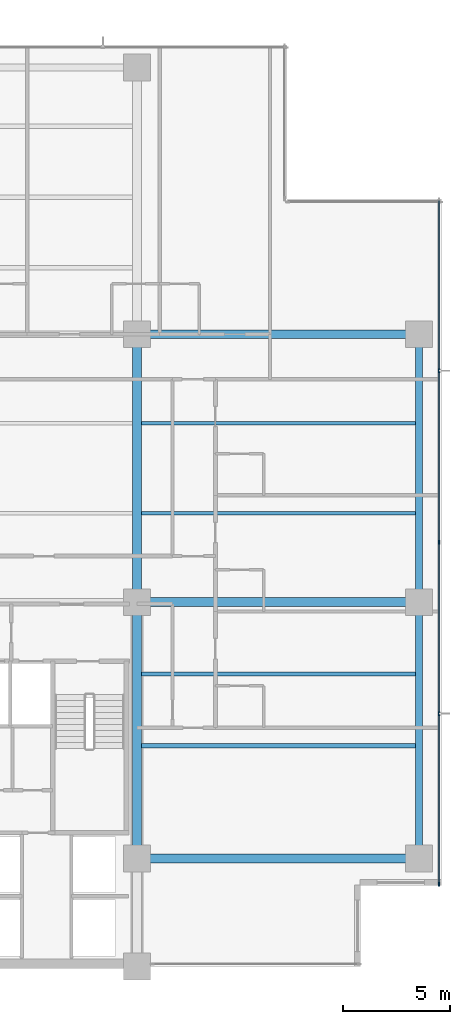
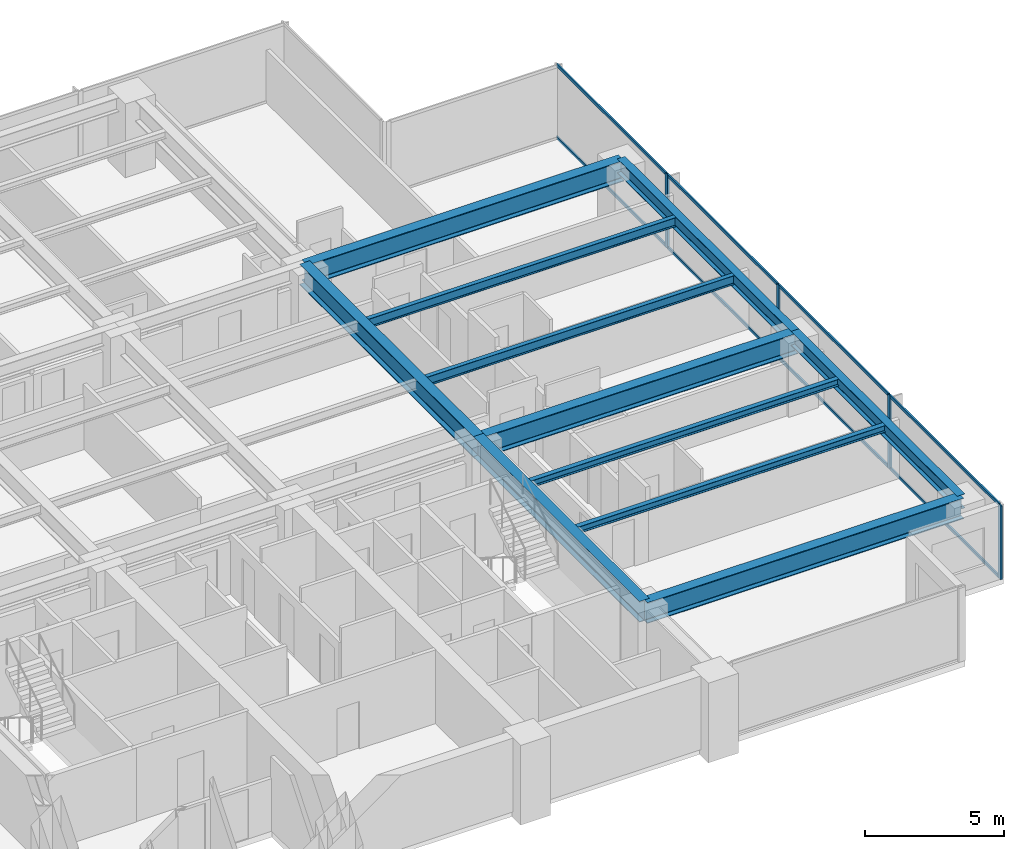
# One storey, part 4 of 17: 12 members, 11 beams, 1 element without a shape of its own.
"""IFC4 building model written with IfcOpenShell, lengths in metres."""

from ifc_helpers import new_model, si_unit, direction, frame, origin, origin_2d, place, context, subcontext, project, spatial, rectangle, i_section, extrude, material, layer, layer_set, material_profile, profile_set, type_object, element, aggregate, save


model = new_model("IFC4")

# Units and contexts
model_context = context("Model", 3, precision=1e-05, world=origin(), true_north=direction((0.0, 1.0)))
body_context = subcontext(model_context, "Body", "Model", "MODEL_VIEW")
ifc_project = project(units=[si_unit("LENGTHUNIT", "METRE"), si_unit("AREAUNIT", "SQUARE_METRE"), si_unit("VOLUMEUNIT", "CUBIC_METRE"), si_unit("PLANEANGLEUNIT", "RADIAN"), si_unit("MASSUNIT", "GRAM", prefix="KILO")], contexts=[model_context])

# Site, building, storey
site_placement = place(None, origin())
site = spatial("IfcSite", under=ifc_project, at=site_placement, CompositionType="ELEMENT")
building_placement = place(site_placement, origin())
building = spatial("IfcBuilding", under=site, at=building_placement, Name="Qalmaran Belvedere Hotel", CompositionType="ELEMENT")
storey_placement = place(building_placement, frame((0.0, 0.0, 105.699951171875)))
storey = spatial("IfcBuildingStorey", under=building, at=storey_placement, Name="L26", CompositionType="ELEMENT", Elevation=105.699951171875)

# Beams
ifc_material_1 = material(Name="Steel S355JR", Category="steel")
ifc_material_profile_1 = material_profile(ifc_material_1, i_section(OverallWidth=0.202880859375, OverallDepth=0.302978515625, WebThickness=0.007568359375, FlangeThickness=0.01318359375, FilletRadius=0.012939453125, at=origin_2d()), Name="W310X60")
ifc_profile_set_1 = profile_set([ifc_material_profile_1], Name="Steel S355JR")
beam_type_1 = type_object("IfcBeamType", Name="BM-JST-W310X60", PredefinedType="JOIST", material=ifc_profile_set_1)
for number, where, z_axis, x_axis, name in (
    (1, (45.007080078125, 13.800048828125, 3.088623046875), (1.0, 0.0, 0.0), (0.0, 1.0, 0.0), "L26 East Wing Joist 039"),
    (2, (45.007080078125, 17.14990234375, 3.088623046875), (1.0, 0.0, 0.0), (0.0, 1.0, 0.0), "L26 East Wing Joist 041"),
):
    element("IfcBeam", number, at=place(storey_placement, frame(where, z_axis=z_axis, x_axis=x_axis)), inside=storey, type_object=beam_type_1, Name=name, PredefinedType="JOIST", context=body_context, shape_type="SweptSolid", body=[
        extrude(i_section(OverallWidth=0.202880859375, OverallDepth=0.302978515625, WebThickness=0.007568359375, FlangeThickness=0.01318359375, FilletRadius=0.012939453125, at=origin_2d()), origin(), (0.0, 0.0, 1.0), 12.781494140625),
    ])
ifc_material_profile_2 = material_profile(ifc_material_1, i_section(OverallWidth=0.41796875, OverallDepth=0.912109375, WebThickness=0.019287109375, FlangeThickness=0.031982421875, FilletRadius=0.02392578125, at=origin_2d()), Name="W920X342")
ifc_profile_set_2 = profile_set([ifc_material_profile_2], Name="Steel S355JR")
beam_type_2 = type_object("IfcBeamType", Name="BM-PG2-W920X342", PredefinedType="USERDEFINED", material=ifc_profile_set_2)
beam_1_placement = place(storey_placement, frame((44.800048828125, 20.5, 2.783935546875), z_axis=(0.0, 1.0, 0.0), x_axis=(-1.0, 0.0, 0.0)))
element("IfcBeam", 3, at=beam_1_placement, inside=storey, type_object=beam_type_2, Name="L26 Mid-Plate N-S Girder 20", ObjectType="GIRDER", PredefinedType="USERDEFINED", context=body_context, shape_type="SweptSolid", body=[
    extrude(i_section(OverallWidth=0.41796875, OverallDepth=0.912109375, WebThickness=0.019287109375, FlangeThickness=0.031982421875, FilletRadius=0.02392578125, at=origin_2d()), origin(), (0.0, 0.0, 1.0), 12.5),
])
beam_2_placement = place(storey_placement, frame((44.800048828125, 8.550048828125, 2.783935546875), z_axis=(0.0, 1.0, 0.0), x_axis=(-1.0, 0.0, 0.0)))
element("IfcBeam", 4, at=beam_2_placement, inside=storey, type_object=beam_type_2, Name="L26 East Core Edge Girder B", ObjectType="GIRDER", PredefinedType="USERDEFINED", context=body_context, shape_type="SweptSolid", body=[
    extrude(i_section(OverallWidth=0.41796875, OverallDepth=0.912109375, WebThickness=0.019287109375, FlangeThickness=0.031982421875, FilletRadius=0.02392578125, at=origin_2d()), origin(), (0.0, 0.0, 1.0), 11.949951171875),
])
for number, where, z_axis, x_axis, name in (
    (5, (44.800048828125, 8.550048828125, 2.783935546875), (1.0, 0.0, 0.0), (0.0, 1.0, 0.0), "L26 East Wing Girder 25"),
    (6, (44.800048828125, 20.5, 2.783935546875), (1.0, 0.0, 0.0), (0.0, 1.0, 0.0), "L26 East Wing Girder 26"),
    (7, (44.800048828125, 33.0, 2.783935546875), (1.0, 0.0, 0.0), (0.0, 1.0, 0.0), "L26 East Wing Girder 27"),
):
    element("IfcBeam", number, at=place(storey_placement, frame(where, z_axis=z_axis, x_axis=x_axis)), inside=storey, type_object=beam_type_2, Name=name, ObjectType="GIRDER", PredefinedType="USERDEFINED", context=body_context, shape_type="SweptSolid", body=[
        extrude(i_section(OverallWidth=0.41796875, OverallDepth=0.912109375, WebThickness=0.019287109375, FlangeThickness=0.031982421875, FilletRadius=0.02392578125, at=origin_2d()), origin(), (0.0, 0.0, 1.0), 13.14990234375),
    ])
ifc_material_profile_3 = material_profile(ifc_material_1, i_section(OverallWidth=0.177978515625, OverallDepth=0.406982421875, WebThickness=0.0078125, FlangeThickness=0.0126953125, FilletRadius=0.014892578125, at=origin_2d()), Name="W410X60")
ifc_profile_set_3 = profile_set([ifc_material_profile_3], Name="Steel S355JR")
beam_type_3 = type_object("IfcBeamType", Name="BM-SB2-W410X60", PredefinedType="BEAM", material=ifc_profile_set_3)
for number, where, z_axis, x_axis, name in (
    (8, (45.007080078125, 24.64990234375, 3.03662109375), (1.0, 0.0, 0.0), (0.0, 1.0, 0.0), "L26 East Secondary Beam 032"),
    (9, (45.007080078125, 28.85009765625, 3.03662109375), (1.0, 0.0, 0.0), (0.0, 1.0, 0.0), "L26 East Secondary Beam 037"),
):
    element("IfcBeam", number, at=place(storey_placement, frame(where, z_axis=z_axis, x_axis=x_axis)), inside=storey, type_object=beam_type_3, Name=name, PredefinedType="BEAM", context=body_context, shape_type="SweptSolid", body=[
        extrude(i_section(OverallWidth=0.177978515625, OverallDepth=0.406982421875, WebThickness=0.0078125, FlangeThickness=0.0126953125, FilletRadius=0.014892578125, at=origin_2d()), origin(), (0.0, 0.0, 1.0), 12.781494140625),
    ])
ifc_material_profile_4 = material_profile(ifc_material_1, i_section(OverallWidth=0.326904296875, OverallDepth=0.6220703125, WebThickness=0.015380859375, FlangeThickness=0.0244140625, FilletRadius=0.02001953125, at=origin_2d()), Name="W610X195")
ifc_profile_set_4 = profile_set([ifc_material_profile_4], Name="Steel S355JR")
beam_type_4 = type_object("IfcBeamType", Name="BM-SP1-W610X195", PredefinedType="SPANDREL", material=ifc_profile_set_4)
beam_3_placement = place(storey_placement, frame((57.949951171875, 8.550048828125, 2.928955078125), z_axis=(0.0, 1.0, 0.0), x_axis=(-1.0, 0.0, 0.0)))
element("IfcBeam", 10, at=beam_3_placement, inside=storey, type_object=beam_type_4, Name="L26 Perimeter Spandrel 03", PredefinedType="SPANDREL", context=body_context, shape_type="SweptSolid", body=[
    extrude(i_section(OverallWidth=0.326904296875, OverallDepth=0.6220703125, WebThickness=0.015380859375, FlangeThickness=0.0244140625, FilletRadius=0.02001953125, at=origin_2d()), origin(), (0.0, 0.0, 1.0), 11.949951171875),
])
beam_4_placement = place(storey_placement, frame((57.949951171875, 20.5, 2.928955078125), z_axis=(0.0, 1.0, 0.0), x_axis=(-1.0, 0.0, 0.0)))
element("IfcBeam", 11, at=beam_4_placement, inside=storey, type_object=beam_type_4, Name="L26 Perimeter Spandrel 04", PredefinedType="SPANDREL", context=body_context, shape_type="SweptSolid", body=[
    extrude(i_section(OverallWidth=0.326904296875, OverallDepth=0.6220703125, WebThickness=0.015380859375, FlangeThickness=0.0244140625, FilletRadius=0.02001953125, at=origin_2d()), origin(), (0.0, 0.0, 1.0), 12.5),
])

# Curtain wall, members
ifc_material_2 = material(Name="Anodised Bronze Aluminium", Category="aluminium")
ifc_layer = layer(ifc_material_2, 0.199951171875, Name="Anodised Bronze Aluminium")
ifc_layer_set = layer_set([ifc_layer], Name="Anodised Bronze Aluminium")
curtain_wall_type = type_object("IfcCurtainWallType", Name="CW3-TOWER-LOWMID", PredefinedType="NOTDEFINED", material=ifc_layer_set)
curtain_wall_placement = place(storey_placement, origin())
curtain_wall = element("IfcCurtainWall", 12, at=curtain_wall_placement, inside=storey, type_object=curtain_wall_type, Name="L26 Curtain Wall CW3", PredefinedType="NOTDEFINED")
ifc_material_profile_5 = material_profile(ifc_material_2, rectangle(XDim=0.070068359375, YDim=0.18994140625, at=origin_2d()), Name="CWM70X190")
ifc_profile_set_5 = profile_set([ifc_material_profile_5], Name="Anodised Bronze Aluminium")
member_type_1 = type_object("IfcMemberType", Name="CWM-70X190", PredefinedType="MULLION", material=ifc_profile_set_5)
member_1_placement = place(storey_placement, frame((58.8798828125, 7.3349609375, 0.0), z_axis=(0.0, 0.0, 1.0), x_axis=(-1.0, 0.0, 0.0)))
member_1 = element("IfcMember", 13, at=member_1_placement, type_object=member_type_1, Name="CW3 mullion 1", PredefinedType="MULLION", context=body_context, shape_type="SweptSolid", body=[
    extrude(rectangle(XDim=0.070068359375, YDim=0.18994140625, at=origin_2d()), origin(), (0.0, 0.0, 1.0), 3.239990234375),
])
member_2_placement = place(storey_placement, frame((58.8798828125, 15.300048828125, 0.0), z_axis=(0.0, 0.0, 1.0), x_axis=(-1.0, 0.0, 0.0)))
member_2 = element("IfcMember", 14, at=member_2_placement, type_object=member_type_1, Name="CW3 mullion 2", PredefinedType="MULLION", context=body_context, shape_type="SweptSolid", body=[
    extrude(rectangle(XDim=0.070068359375, YDim=0.18994140625, at=origin_2d()), origin(), (0.0, 0.0, 1.0), 3.239990234375),
])
member_3_placement = place(storey_placement, frame((58.8798828125, 23.300048828125, 0.0), z_axis=(0.0, 0.0, 1.0), x_axis=(-1.0, 0.0, 0.0)))
member_3 = element("IfcMember", 15, at=member_3_placement, type_object=member_type_1, Name="CW3 mullion 3", PredefinedType="MULLION", context=body_context, shape_type="SweptSolid", body=[
    extrude(rectangle(XDim=0.070068359375, YDim=0.18994140625, at=origin_2d()), origin(), (0.0, 0.0, 1.0), 3.239990234375),
])
member_4_placement = place(storey_placement, frame((58.8798828125, 31.300048828125, 0.0), z_axis=(0.0, 0.0, 1.0), x_axis=(-1.0, 0.0, 0.0)))
member_4 = element("IfcMember", 16, at=member_4_placement, type_object=member_type_1, Name="CW3 mullion 4", PredefinedType="MULLION", context=body_context, shape_type="SweptSolid", body=[
    extrude(rectangle(XDim=0.070068359375, YDim=0.18994140625, at=origin_2d()), origin(), (0.0, 0.0, 1.0), 3.239990234375),
])
ifc_material_profile_6 = material_profile(ifc_material_2, rectangle(XDim=0.06494140625, YDim=0.1298828125, at=origin_2d()), Name="CWT65X130")
ifc_profile_set_6 = profile_set([ifc_material_profile_6], Name="Anodised Bronze Aluminium")
member_type_2 = type_object("IfcMemberType", Name="CWT-65X130", PredefinedType="USERDEFINED", material=ifc_profile_set_6)
member_5_placement = place(storey_placement, frame((58.8798828125, 7.3701171875, 0.032470703125), z_axis=(0.0, 1.0, 0.0), x_axis=(-1.0, 0.0, 0.0)))
member_5 = element("IfcMember", 17, at=member_5_placement, type_object=member_type_2, Name="CW3 transom 1.1", ObjectType="TRANSOM", PredefinedType="USERDEFINED", context=body_context, shape_type="SweptSolid", body=[
    extrude(rectangle(XDim=0.06494140625, YDim=0.1298828125, at=origin_2d()), origin(), (0.0, 0.0, 1.0), 7.894775390625),
])
member_6_placement = place(storey_placement, frame((58.8798828125, 7.3701171875, 3.20751953125), z_axis=(0.0, 1.0, 0.0), x_axis=(-1.0, 0.0, 0.0)))
member_6 = element("IfcMember", 18, at=member_6_placement, type_object=member_type_2, Name="CW3 transom 1.2", ObjectType="TRANSOM", PredefinedType="USERDEFINED", context=body_context, shape_type="SweptSolid", body=[
    extrude(rectangle(XDim=0.06494140625, YDim=0.1298828125, at=origin_2d()), origin(), (0.0, 0.0, 1.0), 7.894775390625),
])
member_7_placement = place(storey_placement, frame((58.8798828125, 15.3349609375, 0.032470703125), z_axis=(0.0, 1.0, 0.0), x_axis=(-1.0, 0.0, 0.0)))
member_7 = element("IfcMember", 19, at=member_7_placement, type_object=member_type_2, Name="CW3 transom 2.1", ObjectType="TRANSOM", PredefinedType="USERDEFINED", context=body_context, shape_type="SweptSolid", body=[
    extrude(rectangle(XDim=0.06494140625, YDim=0.1298828125, at=origin_2d()), origin(), (0.0, 0.0, 1.0), 7.929931640625),
])
member_8_placement = place(storey_placement, frame((58.8798828125, 15.3349609375, 3.20751953125), z_axis=(0.0, 1.0, 0.0), x_axis=(-1.0, 0.0, 0.0)))
member_8 = element("IfcMember", 20, at=member_8_placement, type_object=member_type_2, Name="CW3 transom 2.2", ObjectType="TRANSOM", PredefinedType="USERDEFINED", context=body_context, shape_type="SweptSolid", body=[
    extrude(rectangle(XDim=0.06494140625, YDim=0.1298828125, at=origin_2d()), origin(), (0.0, 0.0, 1.0), 7.929931640625),
])
member_9_placement = place(storey_placement, frame((58.8798828125, 23.3349609375, 0.032470703125), z_axis=(0.0, 1.0, 0.0), x_axis=(-1.0, 0.0, 0.0)))
member_9 = element("IfcMember", 21, at=member_9_placement, type_object=member_type_2, Name="CW3 transom 3.1", ObjectType="TRANSOM", PredefinedType="USERDEFINED", context=body_context, shape_type="SweptSolid", body=[
    extrude(rectangle(XDim=0.06494140625, YDim=0.1298828125, at=origin_2d()), origin(), (0.0, 0.0, 1.0), 7.929931640625),
])
member_10_placement = place(storey_placement, frame((58.8798828125, 23.3349609375, 3.20751953125), z_axis=(0.0, 1.0, 0.0), x_axis=(-1.0, 0.0, 0.0)))
member_10 = element("IfcMember", 22, at=member_10_placement, type_object=member_type_2, Name="CW3 transom 3.2", ObjectType="TRANSOM", PredefinedType="USERDEFINED", context=body_context, shape_type="SweptSolid", body=[
    extrude(rectangle(XDim=0.06494140625, YDim=0.1298828125, at=origin_2d()), origin(), (0.0, 0.0, 1.0), 7.929931640625),
])
member_11_placement = place(storey_placement, frame((58.8798828125, 31.3349609375, 0.032470703125), z_axis=(0.0, 1.0, 0.0), x_axis=(-1.0, 0.0, 0.0)))
member_11 = element("IfcMember", 23, at=member_11_placement, type_object=member_type_2, Name="CW3 transom 4.1", ObjectType="TRANSOM", PredefinedType="USERDEFINED", context=body_context, shape_type="SweptSolid", body=[
    extrude(rectangle(XDim=0.06494140625, YDim=0.1298828125, at=origin_2d()), origin(), (0.0, 0.0, 1.0), 7.89501953125),
])
member_12_placement = place(storey_placement, frame((58.8798828125, 31.3349609375, 3.20751953125), z_axis=(0.0, 1.0, 0.0), x_axis=(-1.0, 0.0, 0.0)))
member_12 = element("IfcMember", 24, at=member_12_placement, type_object=member_type_2, Name="CW3 transom 4.2", ObjectType="TRANSOM", PredefinedType="USERDEFINED", context=body_context, shape_type="SweptSolid", body=[
    extrude(rectangle(XDim=0.06494140625, YDim=0.1298828125, at=origin_2d()), origin(), (0.0, 0.0, 1.0), 7.89501953125),
])
aggregate(curtain_wall, [member_1, member_2, member_3, member_4, member_5, member_6, member_7, member_8, member_9, member_10, member_11, member_12])

save(model, "model.ifc")
